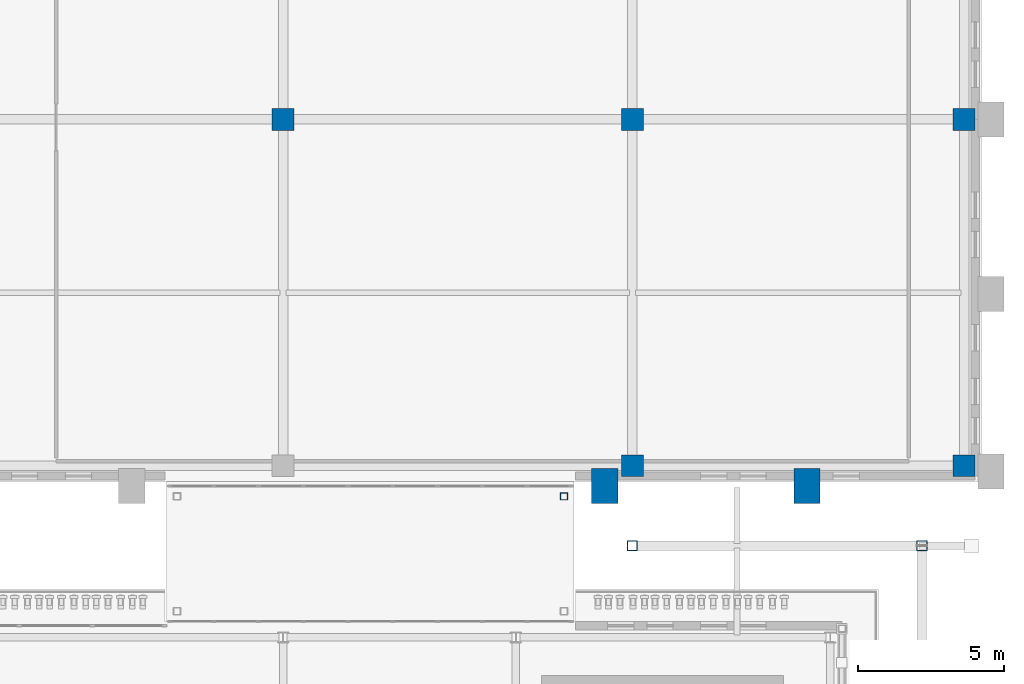
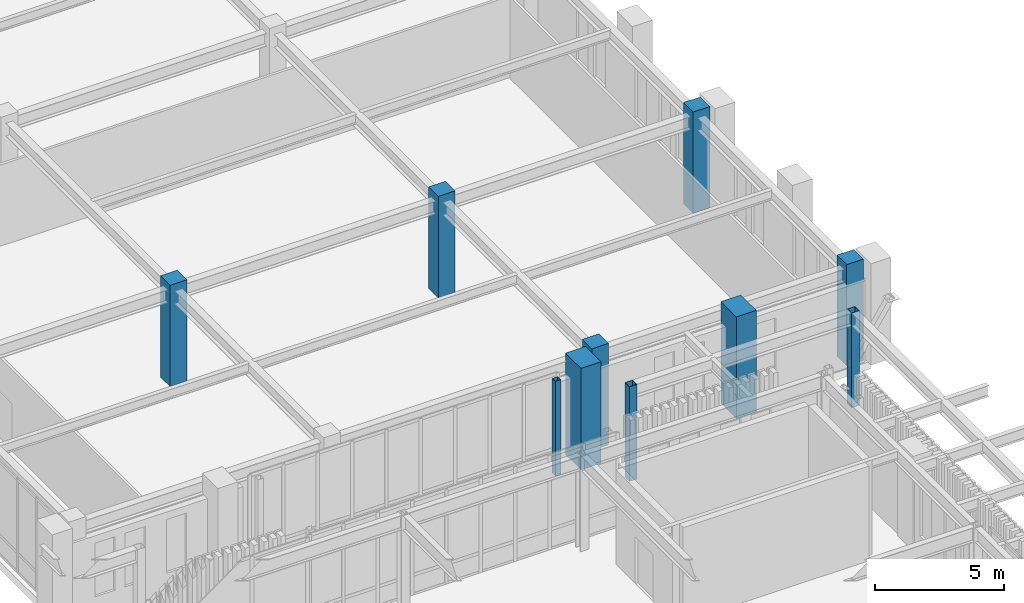
# One storey, part 10 of 126: 10 columns.
"""IFC4 building model written with IfcOpenShell, lengths in metres."""

from ifc_helpers import new_model, si_unit, derived_unit, direction, frame, origin, origin_2d, place, context, subcontext, project, spatial, rectangle, hollow_rectangle, extrude, material, material_profile, profile_set, type_object, element, save


model = new_model("IFC4")

# Units and contexts
model_context = context("Model", 3, precision=1e-05, world=origin(), true_north=direction((0.0, 1.0)))
body_context = subcontext(model_context, "Body", "Model", "MODEL_VIEW")
ifc_project = project(units=[si_unit("LENGTHUNIT", "METRE"), si_unit("AREAUNIT", "SQUARE_METRE"), si_unit("VOLUMEUNIT", "CUBIC_METRE"), si_unit("PLANEANGLEUNIT", "RADIAN"), si_unit("MASSUNIT", "GRAM", prefix="KILO"), derived_unit("THERMALTRANSMITTANCEUNIT", [(si_unit("MASSUNIT", "GRAM", prefix="KILO"), 1), (si_unit("TIMEUNIT", "SECOND"), -3), (si_unit("THERMODYNAMICTEMPERATUREUNIT", "KELVIN"), -1)])], contexts=[model_context])

# Site, building, storey
site_placement = place(None, origin())
site = spatial("IfcSite", under=ifc_project, at=site_placement, CompositionType="ELEMENT")
building_placement = place(site_placement, origin())
building = spatial("IfcBuilding", under=site, at=building_placement, Name="Valcora Ridge Arena", CompositionType="ELEMENT")
storey_placement = place(building_placement, frame((0.0, 0.0, 11.39990234375)))
storey = spatial("IfcBuildingStorey", under=building, at=storey_placement, Name="L02", CompositionType="ELEMENT", Elevation=11.39990234375)

# Columns
ifc_material_1 = material(Name="Steel ASTM A500 Grade C", Category="steel")
ifc_material_profile_1 = material_profile(ifc_material_1, hollow_rectangle(XDim=0.25, YDim=0.25, WallThickness=0.012451171875, at=origin_2d()), Name="HSS250X250X12")
ifc_profile_set_1 = profile_set([ifc_material_profile_1], Name="Steel ASTM A500 Grade C")
column_type_1 = type_object("IfcColumnType", Name="TY-COLUMN-C-BRG250", PredefinedType="COLUMN", material=ifc_profile_set_1)
column_placement = place(storey_placement, frame((177.64990234375, 82.64990234375, 0.0), z_axis=(0.0, 0.0, 1.0), x_axis=(1.0, 0.0, 0.0)))
element("IfcColumn", 1, at=column_placement, inside=storey, type_object=column_type_1, Name="C-BRG250 COL-BG-C-BRG250-0028", PredefinedType="COLUMN", context=body_context, shape_type="SweptSolid", body=[
    extrude(hollow_rectangle(XDim=0.25, YDim=0.25, WallThickness=0.012451171875, at=origin_2d()), origin(), (0.0, 0.0, 1.0), 4.47998046875),
])
ifc_material_2 = material(Name="Bush-hammered Andean travertine architectural concrete C45/55", Category="masonry")
ifc_material_profile_2 = material_profile(ifc_material_2, rectangle(XDim=0.89990234375, YDim=1.199951171875, at=origin_2d()), Name="RC 900x1200")
ifc_profile_set_2 = profile_set([ifc_material_profile_2], Name="Bush-hammered Andean travertine architectural concrete C45/55")
column_type_2 = type_object("IfcColumnType", Name="TY-COLUMN-C-BUTT-1200", PredefinedType="PILASTER", material=ifc_profile_set_2)
for number, where, z_axis, x_axis, name in (
    (2, (179.050048828125, 83.0, 0.0), (0.0, 0.0, 1.0), (1.0, 0.0, 0.0), "C-BUTT-1200 COL-C-BUTT-1200-0270"),
    (3, (186.0, 83.0, 0.0), (0.0, 0.0, 1.0), (1.0, 0.0, 0.0), "C-BUTT-1200 COL-C-BUTT-1200-0274"),
):
    element("IfcColumn", number, at=place(storey_placement, frame(where, z_axis=z_axis, x_axis=x_axis)), inside=storey, type_object=column_type_2, Name=name, PredefinedType="PILASTER", context=body_context, shape_type="SweptSolid", body=[
        extrude(rectangle(XDim=0.89990234375, YDim=1.199951171875, at=origin_2d()), origin(), (0.0, 0.0, 1.0), 4.800048828125),
    ])
ifc_material_profile_3 = material_profile(ifc_material_1, hollow_rectangle(XDim=0.35009765625, YDim=0.35009765625, WallThickness=0.01611328125, at=origin_2d()), Name="HSS350X350X16")
ifc_profile_set_3 = profile_set([ifc_material_profile_3], Name="Steel ASTM A500 Grade C")
column_type_3 = type_object("IfcColumnType", Name="TY-COLUMN-C-COL350", PredefinedType="COLUMN", material=ifc_profile_set_3)
for number, where, z_axis, x_axis, name in (
    (4, (189.949951171875, 80.949951171875, 0.0), (0.0, 0.0, 1.0), (1.0, 0.0, 0.0), "C-COL350 COL-C-COL350-0042"),
    (5, (180.0, 80.949951171875, 0.0), (0.0, 0.0, 1.0), (1.0, 0.0, 0.0), "C-COL350 COL-C-COL350-0063"),
):
    element("IfcColumn", number, at=place(storey_placement, frame(where, z_axis=z_axis, x_axis=x_axis)), inside=storey, type_object=column_type_3, Name=name, PredefinedType="COLUMN", context=body_context, shape_type="SweptSolid", body=[
        extrude(hollow_rectangle(XDim=0.35009765625, YDim=0.35009765625, WallThickness=0.01611328125, at=origin_2d()), origin(), (0.0, 0.0, 1.0), 4.47998046875),
    ])
ifc_material_3 = material(Name="Concrete C40/50", Category="concrete")
ifc_material_profile_4 = material_profile(ifc_material_3, rectangle(XDim=0.75, YDim=0.75, at=origin_2d()), Name="RC 750x750")
ifc_profile_set_4 = profile_set([ifc_material_profile_4], Name="Concrete C40/50")
column_type_4 = type_object("IfcColumnType", Name="TY-COLUMN-C-RC750", PredefinedType="COLUMN", material=ifc_profile_set_4)
for number, where, z_axis, x_axis, name in (
    (6, (168.0, 95.60009765625, 0.0), (0.0, 0.0, 1.0), (1.0, 0.0, 0.0), "C-RC750 COL-C-RC750-0097"),
    (7, (180.0, 83.699951171875, 0.0), (0.0, 0.0, 1.0), (1.0, 0.0, 0.0), "C-RC750 COL-C-RC750-0099"),
    (8, (180.0, 95.60009765625, 0.0), (0.0, 0.0, 1.0), (1.0, 0.0, 0.0), "C-RC750 COL-C-RC750-0101"),
    (9, (191.39990234375, 83.699951171875, 0.0), (0.0, 0.0, 1.0), (1.0, 0.0, 0.0), "C-RC750 COL-C-RC750-0103"),
    (10, (191.39990234375, 95.60009765625, 0.0), (0.0, 0.0, 1.0), (1.0, 0.0, 0.0), "C-RC750 COL-C-RC750-0105"),
):
    element("IfcColumn", number, at=place(storey_placement, frame(where, z_axis=z_axis, x_axis=x_axis)), inside=storey, type_object=column_type_4, Name=name, PredefinedType="COLUMN", context=body_context, shape_type="SweptSolid", body=[
        extrude(rectangle(XDim=0.75, YDim=0.75, at=origin_2d()), origin(), (0.0, 0.0, 1.0), 4.800048828125),
    ])

save(model, "model.ifc")
